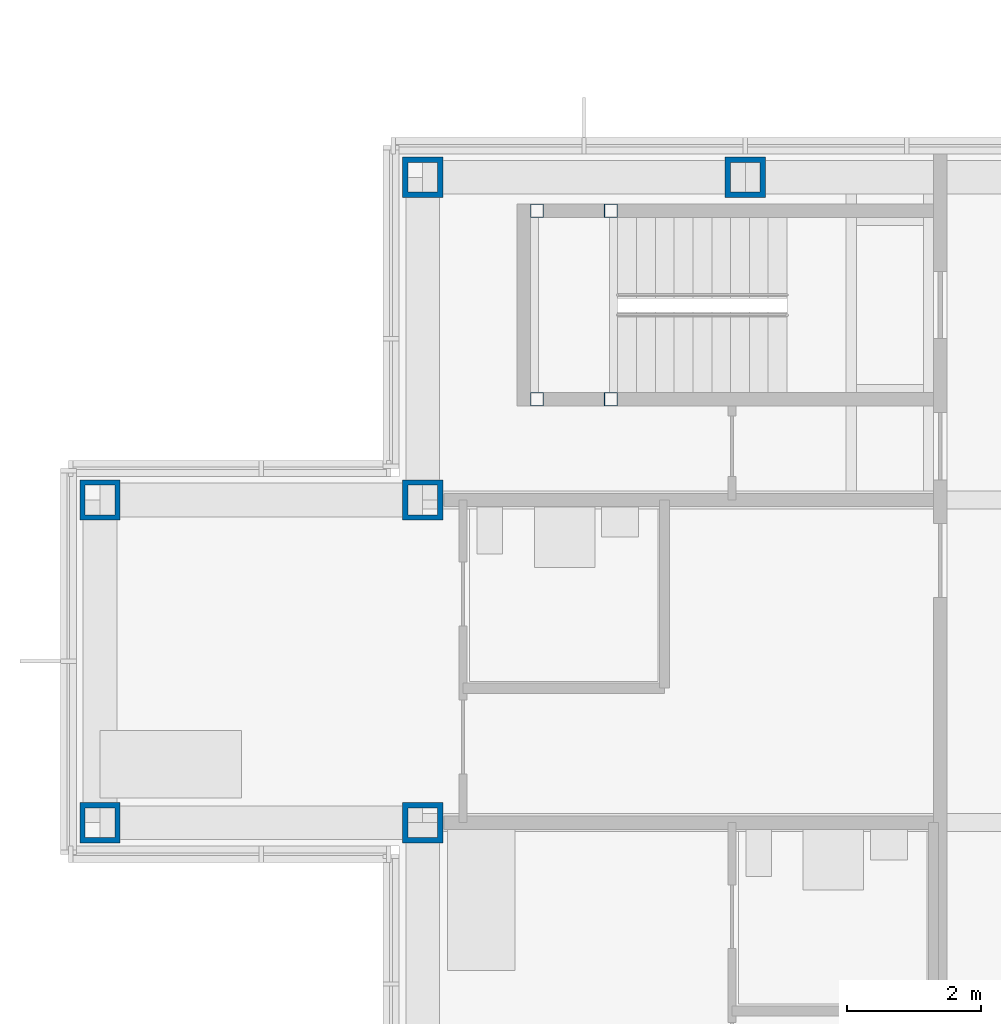
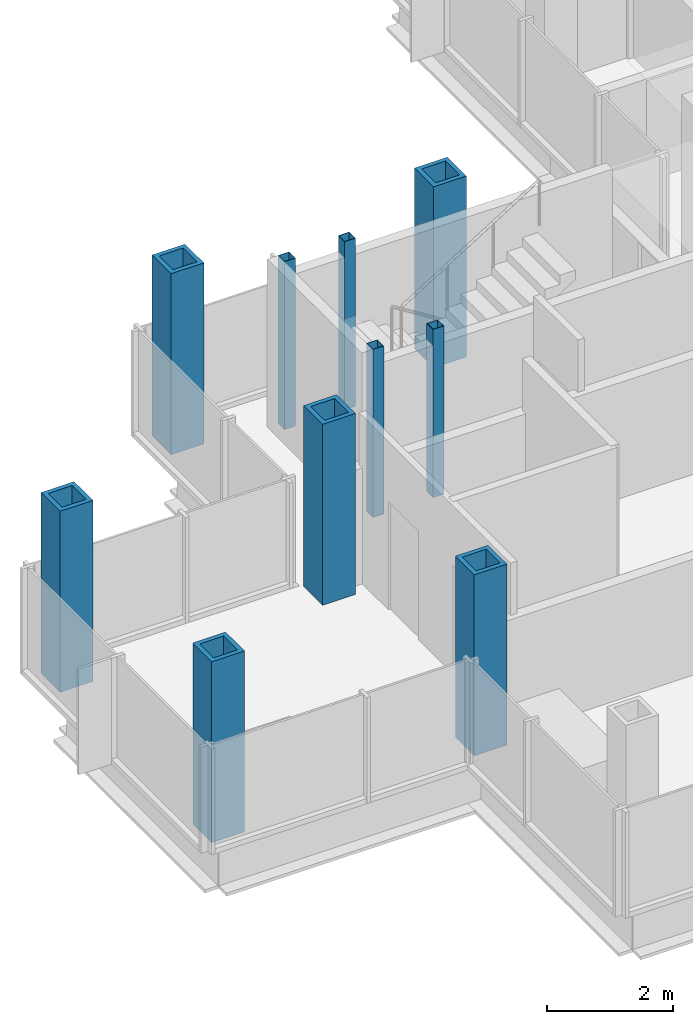
# One storey, part 3 of 17: 10 columns.
"""IFC4 building model written with IfcOpenShell, lengths in metres."""

from ifc_helpers import new_model, si_unit, direction, frame, origin, origin_2d, place, context, subcontext, project, spatial, hollow_rectangle, extrude, material, material_profile, profile_set, type_object, element, save


model = new_model("IFC4")

# Units and contexts
model_context = context("Model", 3, precision=1e-05, world=origin(), true_north=direction((0.0, 1.0)))
body_context = subcontext(model_context, "Body", "Model", "MODEL_VIEW")
ifc_project = project(units=[si_unit("LENGTHUNIT", "METRE"), si_unit("AREAUNIT", "SQUARE_METRE"), si_unit("VOLUMEUNIT", "CUBIC_METRE"), si_unit("PLANEANGLEUNIT", "RADIAN"), si_unit("MASSUNIT", "GRAM", prefix="KILO")], contexts=[model_context])

# Site, building, storey
site_placement = place(None, origin())
site = spatial("IfcSite", under=ifc_project, at=site_placement, CompositionType="ELEMENT")
building_placement = place(site_placement, origin())
building = spatial("IfcBuilding", under=site, at=building_placement, Name="Kvirike Care Tower", CompositionType="ELEMENT")
storey_placement = place(building_placement, frame((0.0, 0.0, 186.5)))
storey = spatial("IfcBuildingStorey", under=building, at=storey_placement, Name="L51", CompositionType="ELEMENT", Elevation=186.5)

# Columns
ifc_material_1 = material(Name="Steel S460", Category="steel")
ifc_material_profile_1 = material_profile(ifc_material_1, hollow_rectangle(XDim=0.60009765625, YDim=0.60009765625, WallThickness=0.080078125, at=origin_2d()), Name="BX 600x600x80")
ifc_profile_set_1 = profile_set([ifc_material_profile_1], Name="Steel S460")
column_type_1 = type_object("IfcColumnType", Name="COLUMN BX 600x600x80", PredefinedType="COLUMN", material=ifc_profile_set_1)
for number, where, z_axis, x_axis, name in (
    (1, (0.0, 33.60009765625, 0.0), (0.0, 0.0, 1.0), (0.0, 1.0, 0.0), "Column H3 L51"),
    (2, (0.0, 38.39990234375, 0.0), (0.0, 0.0, 1.0), (0.0, 1.0, 0.0), "Column J3 L51"),
    (3, (4.800048828125, 33.60009765625, 0.0), (0.0, 0.0, 1.0), (0.0, 1.0, 0.0), "Column H4 L51"),
    (4, (4.800048828125, 38.39990234375, 0.0), (0.0, 0.0, 1.0), (0.0, 1.0, 0.0), "Column J4 L51"),
    (5, (4.800048828125, 43.199951171875, 0.0), (0.0, 0.0, 1.0), (0.0, 1.0, 0.0), "Column K4 L51"),
    (6, (9.60009765625, 43.199951171875, 0.0), (0.0, 0.0, 1.0), (0.0, 1.0, 0.0), "Column K5 L51"),
):
    element("IfcColumn", number, at=place(storey_placement, frame(where, z_axis=z_axis, x_axis=x_axis)), inside=storey, type_object=column_type_1, Name=name, PredefinedType="COLUMN", context=body_context, shape_type="SweptSolid", body=[
        extrude(hollow_rectangle(XDim=0.60009765625, YDim=0.60009765625, WallThickness=0.080078125, at=origin_2d()), origin(), (0.0, 0.0, 1.0), 3.5),
    ])
ifc_material_2 = material(Name="Steel S460", Category="steel")
ifc_material_profile_2 = material_profile(ifc_material_2, hollow_rectangle(XDim=0.199951171875, YDim=0.199951171875, WallThickness=0.008056640625, at=origin_2d()), Name="SHS 200x200x8")
ifc_profile_set_2 = profile_set([ifc_material_profile_2], Name="Steel S460")
column_type_2 = type_object("IfcColumnType", Name="STAIR POST SHS 200x200x8", PredefinedType="COLUMN", material=ifc_profile_set_2)
for number, where, z_axis, x_axis, name in (
    (7, (6.5, 42.699951171875, 0.0), (0.0, 0.0, 1.0), (1.0, 0.0, 0.0), "Stair 1 post 1 L51"),
    (8, (6.5, 39.89990234375, 0.0), (0.0, 0.0, 1.0), (1.0, 0.0, 0.0), "Stair 1 post 2 L51"),
    (9, (7.60009765625, 42.699951171875, 0.0), (0.0, 0.0, 1.0), (1.0, 0.0, 0.0), "Stair 1 post 3 L51"),
    (10, (7.60009765625, 39.89990234375, 0.0), (0.0, 0.0, 1.0), (1.0, 0.0, 0.0), "Stair 1 post 4 L51"),
):
    element("IfcColumn", number, at=place(storey_placement, frame(where, z_axis=z_axis, x_axis=x_axis)), inside=storey, type_object=column_type_2, Name=name, PredefinedType="COLUMN", context=body_context, shape_type="SweptSolid", body=[
        extrude(hollow_rectangle(XDim=0.199951171875, YDim=0.199951171875, WallThickness=0.008056640625, at=origin_2d()), origin(), (0.0, 0.0, 1.0), 3.25),
    ])

save(model, "model.ifc")
